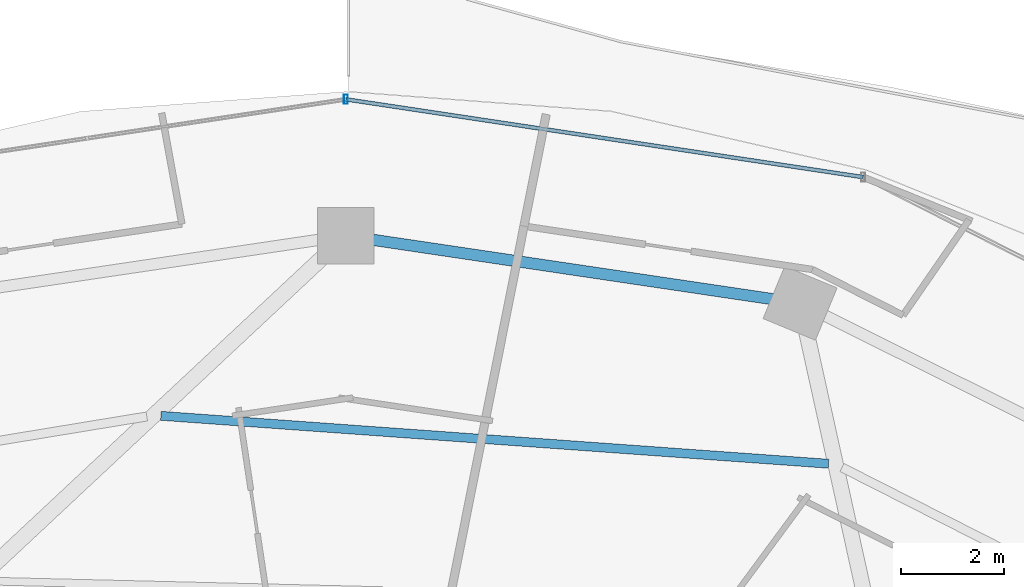
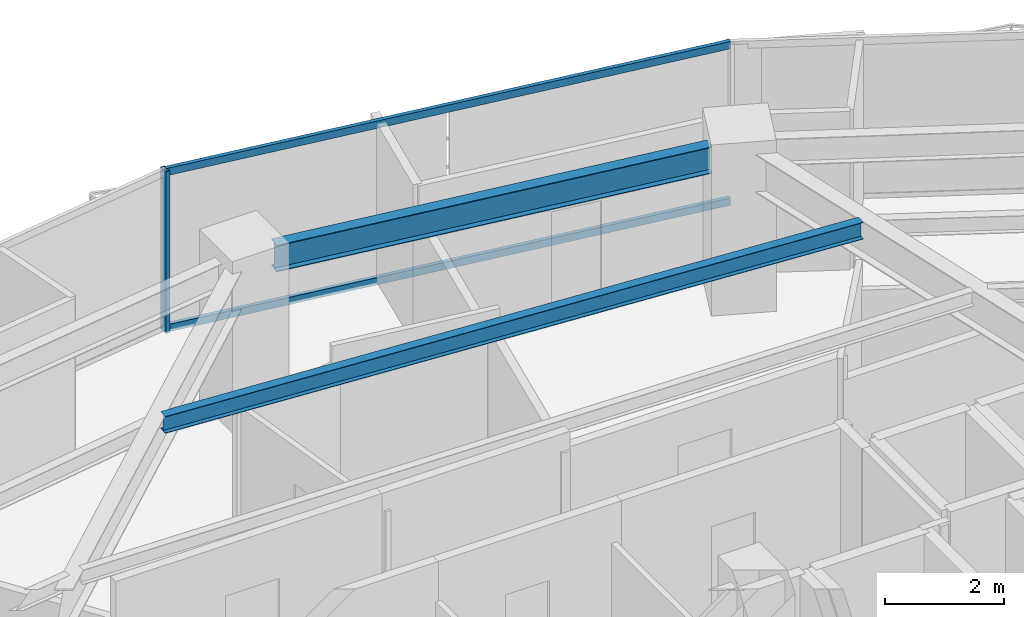
# One storey, part 19 of 29: 3 members, 2 beams, 1 element without a shape of its own.
"""IFC4 building model written with IfcOpenShell, lengths in metres."""

import ifcopenshell
import ifcopenshell.guid

model = None  # the IFC model being written
_history = None  # IfcOwnerHistory: only IFC2X3 demands one
_inside = {}  # id of a spatial element -> (the spatial element, [elements in it])
_under = {}  # id of a project, library or spatial element -> (it, [spatial elements below it])
_declared = {}  # id of a project -> (the project, [libraries it declares])
_typed = {}  # id of a type object -> (the type object, [elements of that type])
_made_of = {}  # id of a material, layer set ... -> (it, [elements and type objects made of it])


def new_model(schema):
    """Start an empty IFC model of exactly this schema.

    Asked for "IFC4X3", IfcOpenShell would pick the latest addendum, in which some entities
    have other attributes; the version numbers below select the first issue.
    IFC2X3 requires an IfcOwnerHistory on every rooted entity: one is made here for all.
    """
    global model, _history
    if schema == "IFC4X3":
        model = ifcopenshell.file(schema_version=(4, 3, 0, 0))
    else:
        model = ifcopenshell.file(schema=schema)
    _inside.clear()
    _under.clear()
    _declared.clear()
    _typed.clear()
    _made_of.clear()
    _history = None
    if model.schema == "IFC2X3":
        org = make("IfcOrganization", Name="unknown")
        user = make(
            "IfcPersonAndOrganization",
            ThePerson=make("IfcPerson", FamilyName="unknown"),
            TheOrganization=org,
        )
        app = make(
            "IfcApplication",
            ApplicationDeveloper=org,
            Version="unknown",
            ApplicationFullName="unknown",
            ApplicationIdentifier="unknown",
        )
        _history = make(
            "IfcOwnerHistory",
            OwningUser=user,
            OwningApplication=app,
            ChangeAction="ADDED",
            CreationDate=0,
        )
    return model


def make(cls, **values):
    """One entity of the class cls with the attributes given. An attribute that is None is left unset."""
    return model.create_entity(
        cls, **{name: value for name, value in values.items() if value is not None}
    )


def rooted(cls, **values):
    """An entity with a GlobalId (a new one), such as an element, a storey or a relation."""
    return make(cls, GlobalId=ifcopenshell.guid.new(), OwnerHistory=_history, **values)


def si_unit(unit_type, name, prefix=None):
    """IfcSIUnit, for example si_unit("LENGTHUNIT", "METRE", prefix="MILLI")."""
    return make("IfcSIUnit", UnitType=unit_type, Prefix=prefix, Name=name)


def assignment(units):
    """IfcUnitAssignment: the units of a project."""
    return None if units is None else make("IfcUnitAssignment", Units=units)


def point(xyz):
    """IfcCartesianPoint."""
    return None if xyz is None else make("IfcCartesianPoint", Coordinates=xyz)


def direction(xyz):
    """IfcDirection."""
    return None if xyz is None else make("IfcDirection", DirectionRatios=xyz)


def frame(location, z_axis=None, x_axis=None):
    """IfcAxis2Placement3D, a coordinate frame: its origin and axes. An axis left out is left unset."""
    return make(
        "IfcAxis2Placement3D",
        Location=point(location),
        Axis=direction(z_axis),
        RefDirection=direction(x_axis),
    )


def frame_2d(location, x_axis=None):
    """IfcAxis2Placement2D, a coordinate frame in the plane: its origin and x axis."""
    return make(
        "IfcAxis2Placement2D", Location=point(location), RefDirection=direction(x_axis)
    )


def origin():
    """The frame at (0, 0, 0) with its axes left unset."""
    return frame((0.0, 0.0, 0.0))


def origin_2d():
    """The frame at (0, 0) in the plane with its x axis left unset."""
    return frame_2d((0.0, 0.0))


def place(relative_to, where):
    """IfcLocalPlacement: puts the frame where relative to a parent placement (None: the world)."""
    return make(
        "IfcLocalPlacement", PlacementRelTo=relative_to, RelativePlacement=where
    )


def context(
    kind, dimensions, precision=None, world=None, true_north=None, identifier=None
):
    """IfcGeometricRepresentationContext, for example the 3D "Model" context."""
    return make(
        "IfcGeometricRepresentationContext",
        ContextIdentifier=identifier,
        ContextType=kind,
        CoordinateSpaceDimension=dimensions,
        Precision=precision,
        WorldCoordinateSystem=world,
        TrueNorth=true_north,
    )


def subcontext(parent, identifier, kind, view, scale=None):
    """IfcGeometricRepresentationSubContext, for example "Body" below "Model"."""
    return make(
        "IfcGeometricRepresentationSubContext",
        ContextIdentifier=identifier,
        ContextType=kind,
        ParentContext=parent,
        TargetScale=scale,
        TargetView=view,
    )


def project(units=None, contexts=None):
    """IfcProject with its units and contexts."""
    return rooted(
        "IfcProject",
        Name="project",
        RepresentationContexts=contexts,
        UnitsInContext=assignment(units),
    )


def spatial(cls, under=None, at=None, **own):
    """A site, building, storey or space (cls), placed at a placement, below another one or the project."""
    s = rooted(cls, ObjectPlacement=at, **own)
    if under is not None:
        _under.setdefault(under.id(), (under, []))[1].append(s)
    return s


def profile(cls, at=None, kind="AREA", **sizes):
    """A parametric profile (cls). Its sizes go by their IFC names, for example OverallWidth=200.0."""
    return make(cls, ProfileType=kind, Position=at, **sizes)


def hollow_rectangle(**sizes):
    """IfcRectangleHollowProfileDef."""
    return profile("IfcRectangleHollowProfileDef", **sizes)


def i_section(**sizes):
    """IfcIShapeProfileDef."""
    return profile("IfcIShapeProfileDef", **sizes)


def extrude(swept, where, along, depth):
    """IfcExtrudedAreaSolid: the profile swept, set in the frame where, extruded along a direction by depth."""
    return make(
        "IfcExtrudedAreaSolid",
        SweptArea=swept,
        Position=where,
        ExtrudedDirection=direction(along),
        Depth=depth,
    )


def shape(context_of_items, identifier, shape_type, items):
    """IfcShapeRepresentation: the items that make up one representation, for example the "Body"."""
    return make(
        "IfcShapeRepresentation",
        ContextOfItems=context_of_items,
        RepresentationIdentifier=identifier,
        RepresentationType=shape_type,
        Items=items,
    )


def material(Name=None, Category=None):
    """IfcMaterial."""
    return make("IfcMaterial", Name=Name, Category=Category)


def material_profile(
    of_material, cross_section, Name=None, Category=None, Priority=None
):
    """IfcMaterialProfile: a cross section and its material."""
    return make(
        "IfcMaterialProfile",
        Name=Name,
        Material=of_material,
        Profile=cross_section,
        Priority=Priority,
        Category=Category,
    )


def profile_set(profiles, Name=None, composite=None):
    """IfcMaterialProfileSet."""
    return make(
        "IfcMaterialProfileSet",
        Name=Name,
        MaterialProfiles=profiles,
        CompositeProfile=composite,
    )


def made_of(thing, what):
    """Note that an element or type object is made of a material, layer set ...; save() writes the relation."""
    if what is not None:
        _made_of.setdefault(what.id(), (what, []))[1].append(thing)
    return thing


def type_object(cls, material=None, **own):
    """A type object (cls), such as IfcWallType, which elements share."""
    return made_of(rooted(cls, **own), material)


def element(
    cls,
    number,
    at=None,
    inside=None,
    cuts=None,
    type_object=None,
    material=None,
    context=None,
    identifier="Body",
    shape_type=None,
    held_by="IfcProductDefinitionShape",
    body=None,
    shapes=None,
    **own,
):
    """One element of the class cls, such as IfcWall. Its Tag is "e" and its number.

    at: its placement. inside: the storey or other place that contains it. cuts: it is an
    opening in that element (IfcRelVoidsElement). A single representation is given by context,
    identifier, shape_type and body (its items); several are given by shapes. held_by: the class
    of the entity that holds the representations. save() writes the other relations.
    """
    e = rooted(cls, Tag="e%d" % number, ObjectPlacement=at, **own)
    if body is not None:
        shapes = [shape(context, identifier, shape_type, body)]
    if shapes is not None:
        e.Representation = make(held_by, Representations=shapes)
    if inside is not None:
        _inside.setdefault(inside.id(), (inside, []))[1].append(e)
    if cuts is not None:
        rooted(
            "IfcRelVoidsElement", RelatingBuildingElement=cuts, RelatedOpeningElement=e
        )
    if type_object is not None:
        _typed.setdefault(type_object.id(), (type_object, []))[1].append(e)
    return made_of(e, material)


def aggregate(whole, parts):
    """IfcRelAggregates: a whole, such as a stair, and the parts it consists of."""
    return rooted("IfcRelAggregates", RelatingObject=whole, RelatedObjects=parts)


def save(model, path):
    """Write the relations noted so far, then the file.

    IfcRelAggregates (storeys below a building ...), IfcRelContainedInSpatialStructure (elements
    in a storey), IfcRelDefinesByType, IfcRelAssociatesMaterial and IfcRelDeclares: one each for
    every whole, place, type object, material and project.
    """
    for whole, parts in _under.values():
        aggregate(whole, parts)
    for where, things in _inside.values():
        rooted(
            "IfcRelContainedInSpatialStructure",
            RelatedElements=things,
            RelatingStructure=where,
        )
    for kind, things in _typed.values():
        rooted("IfcRelDefinesByType", RelatedObjects=things, RelatingType=kind)
    for what, things in _made_of.values():
        rooted("IfcRelAssociatesMaterial", RelatedObjects=things, RelatingMaterial=what)
    for by, libraries in _declared.values():
        rooted("IfcRelDeclares", RelatingContext=by, RelatedDefinitions=libraries)
    model.write(path)


model = new_model("IFC4")

# Units and contexts
model_context = context("Model", 3, precision=1e-05, world=origin(), true_north=direction((0.0, 1.0)))
body_context = subcontext(model_context, "Body", "Model", "MODEL_VIEW")
ifc_project = project(units=[si_unit("LENGTHUNIT", "METRE"), si_unit("AREAUNIT", "SQUARE_METRE"), si_unit("VOLUMEUNIT", "CUBIC_METRE"), si_unit("PLANEANGLEUNIT", "RADIAN"), si_unit("MASSUNIT", "GRAM", prefix="KILO")], contexts=[model_context])

# Site, building, storey
site_placement = place(None, origin())
site = spatial("IfcSite", under=ifc_project, at=site_placement, CompositionType="ELEMENT")
building_placement = place(site_placement, origin())
building = spatial("IfcBuilding", under=site, at=building_placement, Name="Vorneva Point Tower", CompositionType="ELEMENT")
storey_placement = place(building_placement, frame((0.0, 0.0, 82.300048828125)))
storey = spatial("IfcBuildingStorey", under=building, at=storey_placement, Name="L21", CompositionType="ELEMENT", Elevation=82.300048828125)

# Beams
ifc_material_1 = material(Name="Steel S355", Category="steel")
ifc_material_profile_1 = material_profile(ifc_material_1, i_section(OverallWidth=0.174072265625, OverallDepth=0.345947265625, WebThickness=0.006103515625, FlangeThickness=0.009033203125, at=origin_2d()), Name="35B1")
ifc_profile_set_1 = profile_set([ifc_material_profile_1], Name="Steel S355")
beam_type_1 = type_object("IfcBeamType", Name="BM-SEC-35B1", PredefinedType="BEAM", material=ifc_profile_set_1)
beam_1_placement = place(storey_placement, frame((47.373291015625, 38.773681640625, 3.06689453125), z_axis=(-0.997434711896, 0.07158208928, 0.0), x_axis=(-0.07158208928, -0.997434711896, 0.0)))
element("IfcBeam", 1, at=beam_1_placement, inside=storey, type_object=beam_type_1, Name="L21 Secondary Floor Beam 1.04", PredefinedType="BEAM", context=body_context, shape_type="SweptSolid", body=[
    extrude(i_section(OverallWidth=0.174072265625, OverallDepth=0.345947265625, WebThickness=0.006103515625, FlangeThickness=0.009033203125, at=origin_2d()), origin(), (0.0, 0.0, 1.0), 12.998046875),
])
ifc_material_profile_2 = material_profile(ifc_material_1, i_section(OverallWidth=0.219970703125, OverallDepth=0.54296875, WebThickness=0.009521484375, FlangeThickness=0.013427734375, at=origin_2d()), Name="55B1")
ifc_profile_set_2 = profile_set([ifc_material_profile_2], Name="Steel S355")
beam_type_2 = type_object("IfcBeamType", Name="BM-SPN-55B1", PredefinedType="SPANDREL", material=ifc_profile_set_2)
beam_2_placement = place(storey_placement, frame((46.291748046875, 41.96923828125, 2.968505859375), z_axis=(-0.989164507783, 0.146811363806, 0.0), x_axis=(-0.146811363806, -0.989164507783, 0.0)))
element("IfcBeam", 2, at=beam_2_placement, inside=storey, type_object=beam_type_2, Name="L21 Perimeter Spandrel Ring Beam 04", PredefinedType="SPANDREL", context=body_context, shape_type="SweptSolid", body=[
    extrude(i_section(OverallWidth=0.219970703125, OverallDepth=0.54296875, WebThickness=0.009521484375, FlangeThickness=0.013427734375, at=origin_2d()), origin(), (0.0, 0.0, 1.0), 7.847412109375),
])

# Curtain wall, members
ifc_material_2 = material(Name="Pale anodised aluminium", Category="aluminium")
curtain_wall_type = type_object("IfcCurtainWallType", Name="CW-HTL-SYS", PredefinedType="NOTDEFINED", material=ifc_material_2)
curtain_wall_placement = place(storey_placement, origin())
curtain_wall = element("IfcCurtainWall", 3, at=curtain_wall_placement, inside=storey, type_object=curtain_wall_type, Name="L21 Unitised Curtain Wall CW-L21-R01", PredefinedType="NOTDEFINED")
ifc_material_profile_3 = material_profile(ifc_material_2, hollow_rectangle(XDim=0.074951171875, YDim=0.179931640625, WallThickness=0.00390625, at=origin_2d()), Name="AL-MUL 180x75x4")
ifc_profile_set_3 = profile_set([ifc_material_profile_3], Name="Pale anodised aluminium")
member_type_1 = type_object("IfcMemberType", Name="CW-MUL-180", PredefinedType="MULLION", material=ifc_profile_set_3)
member_1_placement = place(storey_placement, frame((38.0, 45.85009765625, -0.0400390625), z_axis=(0.0, 0.0, 1.0), x_axis=(1.0, 0.0, 0.0)))
member_1 = element("IfcMember", 4, at=member_1_placement, type_object=member_type_1, Name="CW-L21-R01 Mullion 04", PredefinedType="MULLION", context=body_context, shape_type="SweptSolid", body=[
    extrude(hollow_rectangle(XDim=0.074951171875, YDim=0.179931640625, WallThickness=0.00390625, at=origin_2d()), origin(), (0.0, 0.0, 1.0), 3.31005859375),
])
ifc_material_profile_4 = material_profile(ifc_material_2, hollow_rectangle(XDim=0.074951171875, YDim=0.14990234375, WallThickness=0.00390625, at=origin_2d()), Name="AL-TRN 150x75x4")
ifc_profile_set_4 = profile_set([ifc_material_profile_4], Name="Pale anodised aluminium")
member_type_2 = type_object("IfcMemberType", Name="CW-TRN-150", PredefinedType="USERDEFINED", material=ifc_profile_set_4)
member_2_placement = place(storey_placement, frame((48.04541015625, 44.339111328125, 0.02001953125), z_axis=(-0.988875982167, 0.148742367512, 0.0), x_axis=(-0.148742367512, -0.988875982167, 0.0)))
member_2 = element("IfcMember", 5, at=member_2_placement, type_object=member_type_2, Name="CW-L21-R01 Transom 03.1", ObjectType="TRANSOM", PredefinedType="USERDEFINED", context=body_context, shape_type="SweptSolid", body=[
    extrude(hollow_rectangle(XDim=0.074951171875, YDim=0.14990234375, WallThickness=0.00390625, at=origin_2d()), origin(), (0.0, 0.0, 1.0), 10.158447265625),
])
member_3_placement = place(storey_placement, frame((48.04541015625, 44.339111328125, 3.219970703125), z_axis=(-0.988875982167, 0.148742367512, 0.0), x_axis=(-0.148742367512, -0.988875982167, 0.0)))
member_3 = element("IfcMember", 6, at=member_3_placement, type_object=member_type_2, Name="CW-L21-R01 Transom 03.2", ObjectType="TRANSOM", PredefinedType="USERDEFINED", context=body_context, shape_type="SweptSolid", body=[
    extrude(hollow_rectangle(XDim=0.074951171875, YDim=0.14990234375, WallThickness=0.00390625, at=origin_2d()), origin(), (0.0, 0.0, 1.0), 10.158447265625),
])
aggregate(curtain_wall, [member_1, member_2, member_3])

save(model, "model.ifc")
